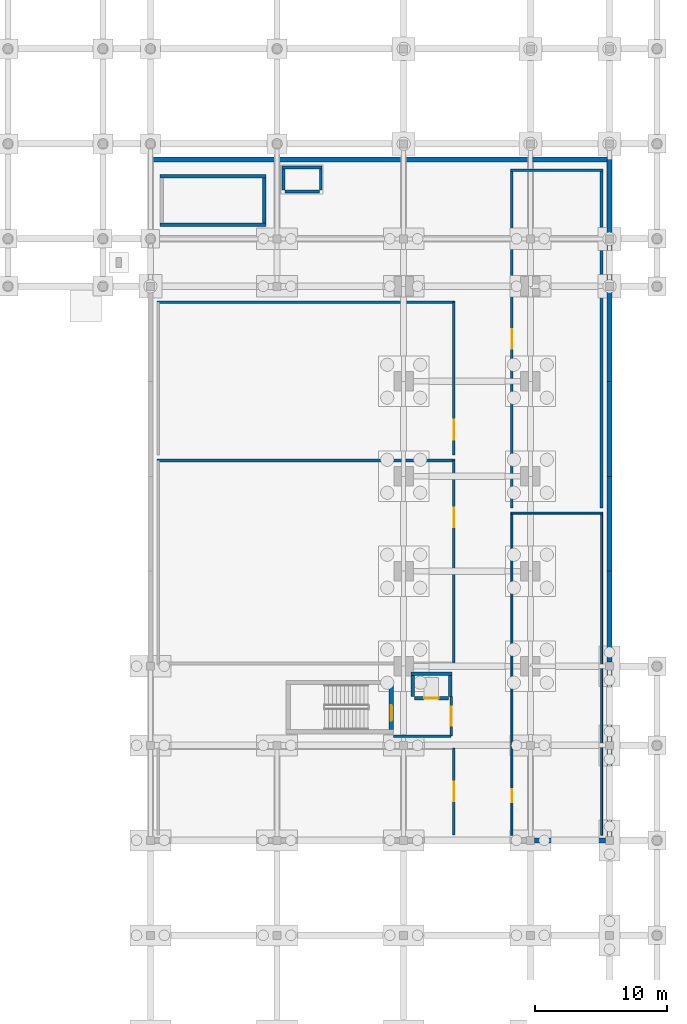
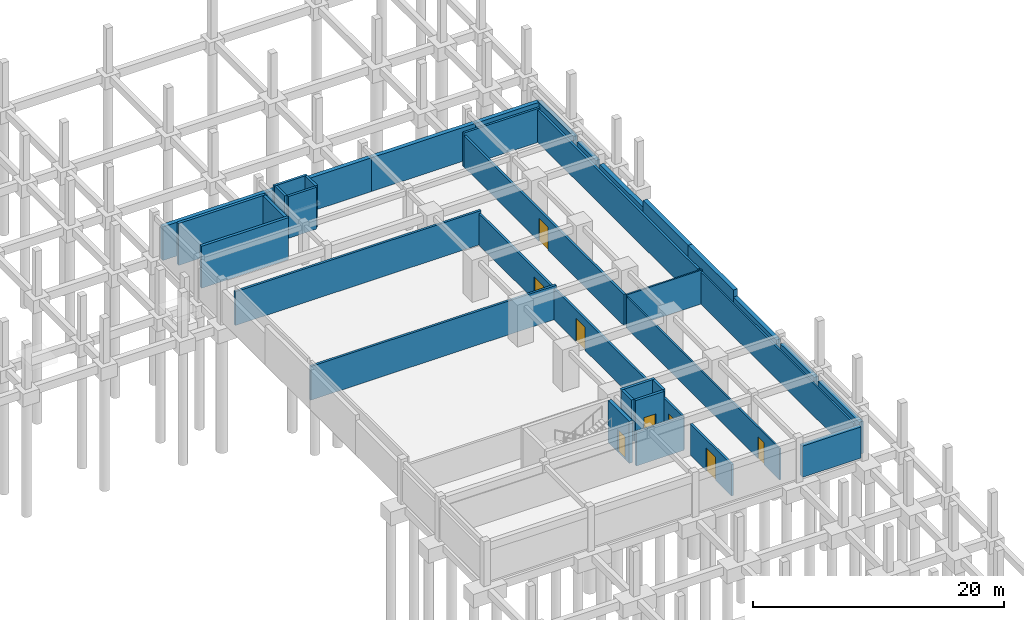
# One storey, part 16 of 20: 38 walls, 8 doors, 8 openings.
"""IFC4 building model written with IfcOpenShell, lengths in metres."""

import ifcopenshell
import ifcopenshell.guid

model = None  # the IFC model being written
_history = None  # IfcOwnerHistory: only IFC2X3 demands one
_inside = {}  # id of a spatial element -> (the spatial element, [elements in it])
_under = {}  # id of a project, library or spatial element -> (it, [spatial elements below it])
_declared = {}  # id of a project -> (the project, [libraries it declares])
_typed = {}  # id of a type object -> (the type object, [elements of that type])
_made_of = {}  # id of a material, layer set ... -> (it, [elements and type objects made of it])


def new_model(schema):
    """Start an empty IFC model of exactly this schema.

    Asked for "IFC4X3", IfcOpenShell would pick the latest addendum, in which some entities
    have other attributes; the version numbers below select the first issue.
    IFC2X3 requires an IfcOwnerHistory on every rooted entity: one is made here for all.
    """
    global model, _history
    if schema == "IFC4X3":
        model = ifcopenshell.file(schema_version=(4, 3, 0, 0))
    else:
        model = ifcopenshell.file(schema=schema)
    _inside.clear()
    _under.clear()
    _declared.clear()
    _typed.clear()
    _made_of.clear()
    _history = None
    if model.schema == "IFC2X3":
        org = make("IfcOrganization", Name="unknown")
        user = make(
            "IfcPersonAndOrganization",
            ThePerson=make("IfcPerson", FamilyName="unknown"),
            TheOrganization=org,
        )
        app = make(
            "IfcApplication",
            ApplicationDeveloper=org,
            Version="unknown",
            ApplicationFullName="unknown",
            ApplicationIdentifier="unknown",
        )
        _history = make(
            "IfcOwnerHistory",
            OwningUser=user,
            OwningApplication=app,
            ChangeAction="ADDED",
            CreationDate=0,
        )
    return model


def make(cls, **values):
    """One entity of the class cls with the attributes given. An attribute that is None is left unset."""
    return model.create_entity(
        cls, **{name: value for name, value in values.items() if value is not None}
    )


def rooted(cls, **values):
    """An entity with a GlobalId (a new one), such as an element, a storey or a relation."""
    return make(cls, GlobalId=ifcopenshell.guid.new(), OwnerHistory=_history, **values)


def si_unit(unit_type, name, prefix=None):
    """IfcSIUnit, for example si_unit("LENGTHUNIT", "METRE", prefix="MILLI")."""
    return make("IfcSIUnit", UnitType=unit_type, Prefix=prefix, Name=name)


def assignment(units):
    """IfcUnitAssignment: the units of a project."""
    return None if units is None else make("IfcUnitAssignment", Units=units)


def point(xyz):
    """IfcCartesianPoint."""
    return None if xyz is None else make("IfcCartesianPoint", Coordinates=xyz)


def direction(xyz):
    """IfcDirection."""
    return None if xyz is None else make("IfcDirection", DirectionRatios=xyz)


def frame(location, z_axis=None, x_axis=None):
    """IfcAxis2Placement3D, a coordinate frame: its origin and axes. An axis left out is left unset."""
    return make(
        "IfcAxis2Placement3D",
        Location=point(location),
        Axis=direction(z_axis),
        RefDirection=direction(x_axis),
    )


def frame_2d(location, x_axis=None):
    """IfcAxis2Placement2D, a coordinate frame in the plane: its origin and x axis."""
    return make(
        "IfcAxis2Placement2D", Location=point(location), RefDirection=direction(x_axis)
    )


def origin():
    """The frame at (0, 0, 0) with its axes left unset."""
    return frame((0.0, 0.0, 0.0))


def place(relative_to, where):
    """IfcLocalPlacement: puts the frame where relative to a parent placement (None: the world)."""
    return make(
        "IfcLocalPlacement", PlacementRelTo=relative_to, RelativePlacement=where
    )


def context(
    kind, dimensions, precision=None, world=None, true_north=None, identifier=None
):
    """IfcGeometricRepresentationContext, for example the 3D "Model" context."""
    return make(
        "IfcGeometricRepresentationContext",
        ContextIdentifier=identifier,
        ContextType=kind,
        CoordinateSpaceDimension=dimensions,
        Precision=precision,
        WorldCoordinateSystem=world,
        TrueNorth=true_north,
    )


def subcontext(parent, identifier, kind, view, scale=None):
    """IfcGeometricRepresentationSubContext, for example "Body" below "Model"."""
    return make(
        "IfcGeometricRepresentationSubContext",
        ContextIdentifier=identifier,
        ContextType=kind,
        ParentContext=parent,
        TargetScale=scale,
        TargetView=view,
    )


def project(units=None, contexts=None):
    """IfcProject with its units and contexts."""
    return rooted(
        "IfcProject",
        Name="project",
        RepresentationContexts=contexts,
        UnitsInContext=assignment(units),
    )


def spatial(cls, under=None, at=None, **own):
    """A site, building, storey or space (cls), placed at a placement, below another one or the project."""
    s = rooted(cls, ObjectPlacement=at, **own)
    if under is not None:
        _under.setdefault(under.id(), (under, []))[1].append(s)
    return s


def profile(cls, at=None, kind="AREA", **sizes):
    """A parametric profile (cls). Its sizes go by their IFC names, for example OverallWidth=200.0."""
    return make(cls, ProfileType=kind, Position=at, **sizes)


def rectangle(**sizes):
    """IfcRectangleProfileDef."""
    return profile("IfcRectangleProfileDef", **sizes)


def extrude(swept, where, along, depth):
    """IfcExtrudedAreaSolid: the profile swept, set in the frame where, extruded along a direction by depth."""
    return make(
        "IfcExtrudedAreaSolid",
        SweptArea=swept,
        Position=where,
        ExtrudedDirection=direction(along),
        Depth=depth,
    )


def shape(context_of_items, identifier, shape_type, items):
    """IfcShapeRepresentation: the items that make up one representation, for example the "Body"."""
    return make(
        "IfcShapeRepresentation",
        ContextOfItems=context_of_items,
        RepresentationIdentifier=identifier,
        RepresentationType=shape_type,
        Items=items,
    )


def material(Name=None, Category=None):
    """IfcMaterial."""
    return make("IfcMaterial", Name=Name, Category=Category)


def layer(
    of_material, thickness, ventilated=None, Name=None, Category=None, Priority=None
):
    """IfcMaterialLayer: one layer of a wall or slab, of a material (None: an air gap)."""
    return make(
        "IfcMaterialLayer",
        Material=of_material,
        LayerThickness=thickness,
        IsVentilated=ventilated,
        Name=Name,
        Category=Category,
        Priority=Priority,
    )


def layer_set(layers, Name=None):
    """IfcMaterialLayerSet."""
    return make("IfcMaterialLayerSet", MaterialLayers=layers, LayerSetName=Name)


def made_of(thing, what):
    """Note that an element or type object is made of a material, layer set ...; save() writes the relation."""
    if what is not None:
        _made_of.setdefault(what.id(), (what, []))[1].append(thing)
    return thing


def type_object(cls, material=None, **own):
    """A type object (cls), such as IfcWallType, which elements share."""
    return made_of(rooted(cls, **own), material)


def element(
    cls,
    number,
    at=None,
    inside=None,
    cuts=None,
    type_object=None,
    material=None,
    context=None,
    identifier="Body",
    shape_type=None,
    held_by="IfcProductDefinitionShape",
    body=None,
    shapes=None,
    **own,
):
    """One element of the class cls, such as IfcWall. Its Tag is "e" and its number.

    at: its placement. inside: the storey or other place that contains it. cuts: it is an
    opening in that element (IfcRelVoidsElement). A single representation is given by context,
    identifier, shape_type and body (its items); several are given by shapes. held_by: the class
    of the entity that holds the representations. save() writes the other relations.
    """
    e = rooted(cls, Tag="e%d" % number, ObjectPlacement=at, **own)
    if body is not None:
        shapes = [shape(context, identifier, shape_type, body)]
    if shapes is not None:
        e.Representation = make(held_by, Representations=shapes)
    if inside is not None:
        _inside.setdefault(inside.id(), (inside, []))[1].append(e)
    if cuts is not None:
        rooted(
            "IfcRelVoidsElement", RelatingBuildingElement=cuts, RelatedOpeningElement=e
        )
    if type_object is not None:
        _typed.setdefault(type_object.id(), (type_object, []))[1].append(e)
    return made_of(e, material)


def fill(opening, filler):
    """IfcRelFillsElement: the door or window that sits in an opening."""
    return rooted(
        "IfcRelFillsElement",
        RelatingOpeningElement=opening,
        RelatedBuildingElement=filler,
    )


def aggregate(whole, parts):
    """IfcRelAggregates: a whole, such as a stair, and the parts it consists of."""
    return rooted("IfcRelAggregates", RelatingObject=whole, RelatedObjects=parts)


def save(model, path):
    """Write the relations noted so far, then the file.

    IfcRelAggregates (storeys below a building ...), IfcRelContainedInSpatialStructure (elements
    in a storey), IfcRelDefinesByType, IfcRelAssociatesMaterial and IfcRelDeclares: one each for
    every whole, place, type object, material and project.
    """
    for whole, parts in _under.values():
        aggregate(whole, parts)
    for where, things in _inside.values():
        rooted(
            "IfcRelContainedInSpatialStructure",
            RelatedElements=things,
            RelatingStructure=where,
        )
    for kind, things in _typed.values():
        rooted("IfcRelDefinesByType", RelatedObjects=things, RelatingType=kind)
    for what, things in _made_of.values():
        rooted("IfcRelAssociatesMaterial", RelatedObjects=things, RelatingMaterial=what)
    for by, libraries in _declared.values():
        rooted("IfcRelDeclares", RelatingContext=by, RelatedDefinitions=libraries)
    model.write(path)


model = new_model("IFC4")

# Units and contexts
model_context = context("Model", 3, precision=1e-05, world=origin(), true_north=direction((0.0, 1.0)))
body_context = subcontext(model_context, "Body", "Model", "MODEL_VIEW")
ifc_project = project(units=[si_unit("LENGTHUNIT", "METRE"), si_unit("AREAUNIT", "SQUARE_METRE"), si_unit("VOLUMEUNIT", "CUBIC_METRE"), si_unit("PLANEANGLEUNIT", "RADIAN"), si_unit("MASSUNIT", "GRAM", prefix="KILO")], contexts=[model_context])

# Site, building, storey
site_placement = place(None, origin())
site = spatial("IfcSite", under=ifc_project, at=site_placement, CompositionType="ELEMENT")
building_placement = place(site_placement, origin())
building = spatial("IfcBuilding", under=site, at=building_placement, Name="Nzembalo Square Collegiate School", CompositionType="ELEMENT")
storey_placement = place(building_placement, frame((0.0, 0.0, -4.080078125)))
storey = spatial("IfcBuildingStorey", under=building, at=storey_placement, Name="B1", CompositionType="ELEMENT", Elevation=-4.080078125)

# Wall, opening, door
ifc_material_1 = material(Name="Concrete C40/50", Category="concrete")
ifc_layer_1 = layer(ifc_material_1, 0.320068359375, Name="Concrete C40/50")
ifc_layer_set_1 = layer_set([ifc_layer_1], Name="Concrete C40/50")
wall_type_1 = type_object("IfcWallType", Name="SW01", PredefinedType="SHEAR", material=ifc_layer_set_1)
wall_1_placement = place(storey_placement, frame((149.06005859375, 45.60009765625, 0.0), z_axis=(0.0, 0.0, 1.0), x_axis=(0.0, 1.0, 0.0)))
wall_1 = element("IfcWall", 1, at=wall_1_placement, inside=storey, type_object=wall_type_1, Name="Core C5 stair shear wall E B1", PredefinedType="SHEAR", context=body_context, shape_type="SweptSolid", body=[
    extrude(rectangle(XDim=3.39990234375, YDim=0.320068359375, at=frame_2d((1.699951171875, 0.0))), origin(), (0.0, 0.0, 1.0), 4.080078125),
])
opening_1_placement = place(wall_1_placement, frame((0.64990234375, 0.0, 0.0)))
opening_1 = element("IfcOpeningElement", 2, at=opening_1_placement, cuts=wall_1, Name="Opening FD-044", PredefinedType="OPENING", context=body_context, shape_type="SweptSolid", body=[
    extrude(rectangle(XDim=1.199951171875, YDim=2.199951171875, at=frame_2d((0.60009765625, 1.10009765625))), frame((0.0, 0.169921875, 0.0), z_axis=(0.0, -1.0, 0.0), x_axis=(1.0, 0.0, 0.0)), (0.0, 0.0, 1.0), 0.340087890625),
])
ifc_material_2 = material(Name="Fire-rated steel acoustic door", Category="steel")
door_type_1 = type_object("IfcDoorType", Name="FD01", OperationType="NOTDEFINED", PredefinedType="DOOR", material=ifc_material_2)
door_1_placement = place(opening_1_placement, origin())
door_1 = element("IfcDoor", 3, at=door_1_placement, inside=storey, type_object=door_type_1, Name="Stair fire door FD-044", OperationType="SINGLE_SWING_RIGHT", OverallHeight=2.199951171875, OverallWidth=1.199951171875, PredefinedType="DOOR", context=body_context, shape_type="SweptSolid", body=[
    extrude(rectangle(XDim=1.199951171875, YDim=2.199951171875, at=frame_2d((0.60009765625, 1.10009765625))), frame((0.0, 0.02490234375, 0.0), z_axis=(0.0, -1.0, 0.0), x_axis=(1.0, 0.0, 0.0)), (0.0, 0.0, 1.0), 0.050048828125),
])
fill(opening_1, door_1)

# Walls
ifc_material_3 = material(Name="Concrete C35/45", Category="concrete")
ifc_layer_2 = layer(ifc_material_3, 0.260009765625, Name="Concrete C35/45")
ifc_layer_set_2 = layer_set([ifc_layer_2], Name="Concrete C35/45")
wall_type_2 = type_object("IfcWallType", Name="SW04", PredefinedType="SHEAR", material=ifc_layer_set_2)
for number, where, z_axis, x_axis, name in (
    (4, (131.5400390625, 83.8701171875, 0.0), (0.0, 0.0, 1.0), (1.0, 0.0, 0.0), "Core C4 stair shear wall S B1"),
    (5, (131.5400390625, 87.530029296875, 0.0), (0.0, 0.0, 1.0), (1.0, 0.0, 0.0), "Core C4 stair shear wall N B1"),
):
    element("IfcWall", number, at=place(storey_placement, frame(where, z_axis=z_axis, x_axis=x_axis)), inside=storey, type_object=wall_type_2, Name=name, PredefinedType="SHEAR", context=body_context, shape_type="SweptSolid", body=[
        extrude(rectangle(XDim=8.02001953125, YDim=0.260009765625, at=frame_2d((4.010009765625, 0.0))), origin(), (0.0, 0.0, 1.0), 4.080078125),
    ])
wall_2_placement = place(storey_placement, frame((139.429931640625, 84.0, 0.0), z_axis=(0.0, 0.0, 1.0), x_axis=(0.0, 1.0, 0.0)))
element("IfcWall", 6, at=wall_2_placement, inside=storey, type_object=wall_type_2, Name="Core C4 stair shear wall E B1", PredefinedType="SHEAR", context=body_context, shape_type="SweptSolid", body=[
    extrude(rectangle(XDim=3.39990234375, YDim=0.260009765625, at=frame_2d((1.699951171875, 0.0))), origin(), (0.0, 0.0, 1.0), 4.080078125),
])
ifc_material_4 = material(Name="Concrete C35/45", Category="concrete")
ifc_layer_3 = layer(ifc_material_4, 0.25, Name="Concrete C35/45")
ifc_layer_set_3 = layer_set([ifc_layer_3], Name="Concrete C35/45")
wall_type_3 = type_object("IfcWallType", Name="SW05", PredefinedType="SHEAR", material=ifc_layer_set_3)
for number, where, z_axis, x_axis, name in (
    (7, (150.675048828125, 48.10009765625, 0.0), (0.0, 0.0, 1.0), (0.0, 1.0, 0.0), "Lift LF4 shaft wall W B1"),
    (8, (153.52490234375, 48.10009765625, 0.0), (0.0, 0.0, 1.0), (0.0, 1.0, 0.0), "Lift LF4 shaft wall E B1"),
):
    element("IfcWall", number, at=place(storey_placement, frame(where, z_axis=z_axis, x_axis=x_axis)), inside=storey, type_object=wall_type_3, Name=name, PredefinedType="SHEAR", context=body_context, shape_type="SweptSolid", body=[
        extrude(rectangle(XDim=1.599853515625, YDim=0.25, at=frame_2d((0.7998046875, 0.0))), origin(), (0.0, 0.0, 1.0), 4.080078125),
    ])
wall_3_placement = place(storey_placement, frame((150.550048828125, 49.824951171875, 0.0), z_axis=(0.0, 0.0, 1.0), x_axis=(1.0, 0.0, 0.0)))
element("IfcWall", 9, at=wall_3_placement, inside=storey, type_object=wall_type_3, Name="Lift LF4 shaft wall N B1", PredefinedType="SHEAR", context=body_context, shape_type="SweptSolid", body=[
    extrude(rectangle(XDim=3.099853515625, YDim=0.25, at=frame_2d((1.5498046875, 0.0))), origin(), (0.0, 0.0, 1.0), 4.080078125),
])

# Wall, opening, door
wall_4_placement = place(storey_placement, frame((150.800048828125, 47.97509765625, 0.0), z_axis=(0.0, 0.0, 1.0), x_axis=(1.0, 0.0, 0.0)))
wall_4 = element("IfcWall", 10, at=wall_4_placement, inside=storey, type_object=wall_type_3, Name="Lift LF4 landing front wall B1", PredefinedType="SHEAR", context=body_context, shape_type="SweptSolid", body=[
    extrude(rectangle(XDim=2.599853515625, YDim=0.25, at=frame_2d((1.2998046875, 0.0))), origin(), (0.0, 0.0, 1.0), 4.080078125),
])
opening_2_placement = place(wall_4_placement, frame((0.75, 0.0, 0.0)))
opening_2 = element("IfcOpeningElement", 11, at=opening_2_placement, cuts=wall_4, Name="Opening LD-LF4-B1", PredefinedType="OPENING", context=body_context, shape_type="SweptSolid", body=[
    extrude(rectangle(XDim=1.10009765625, YDim=2.14990234375, at=frame_2d((0.550048828125, 1.074951171875))), frame((0.0, 0.135009765625, 0.0), z_axis=(0.0, -1.0, 0.0), x_axis=(1.0, 0.0, 0.0)), (0.0, 0.0, 1.0), 0.27001953125),
])
ifc_material_5 = material(Name="Stainless-steel sliding landing door", Category="steel")
door_type_2 = type_object("IfcDoorType", Name="LD01", OperationType="DOUBLE_DOOR_SLIDING", PredefinedType="DOOR", material=ifc_material_5)
door_2_placement = place(opening_2_placement, origin())
door_2 = element("IfcDoor", 12, at=door_2_placement, inside=storey, type_object=door_type_2, Name="Sliding lift landing door LD-LF4-B1", OperationType="DOUBLE_DOOR_SLIDING", OverallHeight=2.14990234375, OverallWidth=1.10009765625, PredefinedType="DOOR", context=body_context, shape_type="SweptSolid", body=[
    extrude(rectangle(XDim=1.10009765625, YDim=2.14990234375, at=frame_2d((0.550048828125, 1.074951171875))), frame((0.0, 0.02490234375, 0.0), z_axis=(0.0, -1.0, 0.0), x_axis=(1.0, 0.0, 0.0)), (0.0, 0.0, 1.0), 0.050048828125),
])
fill(opening_2, door_2)

# Walls
ifc_material_6 = material(Name="Concrete C35/45", Category="concrete")
ifc_layer_4 = layer(ifc_material_6, 0.219970703125, Name="Concrete C35/45")
ifc_layer_set_4 = layer_set([ifc_layer_4], Name="Concrete C35/45")
wall_type_4 = type_object("IfcWallType", Name="SW08", PredefinedType="SHEAR", material=ifc_layer_set_4)
for number, where, z_axis, x_axis, name in (
    (13, (140.889892578125, 86.5, 0.0), (0.0, 0.0, 1.0), (0.0, 1.0, 0.0), "Lift LF3 shaft wall W B1"),
    (14, (143.7099609375, 86.5, 0.0), (0.0, 0.0, 1.0), (0.0, 1.0, 0.0), "Lift LF3 shaft wall E B1"),
):
    element("IfcWall", number, at=place(storey_placement, frame(where, z_axis=z_axis, x_axis=x_axis)), inside=storey, type_object=wall_type_4, Name=name, PredefinedType="SHEAR", context=body_context, shape_type="SweptSolid", body=[
        extrude(rectangle(XDim=1.60009765625, YDim=0.219970703125, at=frame_2d((0.800048828125, 0.0))), origin(), (0.0, 0.0, 1.0), 4.080078125),
    ])
wall_5_placement = place(storey_placement, frame((140.780029296875, 88.2099609375, 0.0), z_axis=(0.0, 0.0, 1.0), x_axis=(1.0, 0.0, 0.0)))
element("IfcWall", 15, at=wall_5_placement, inside=storey, type_object=wall_type_4, Name="Lift LF3 shaft wall N B1", PredefinedType="SHEAR", context=body_context, shape_type="SweptSolid", body=[
    extrude(rectangle(XDim=3.0400390625, YDim=0.219970703125, at=frame_2d((1.52001953125, 0.0))), origin(), (0.0, 0.0, 1.0), 4.080078125),
])
wall_6_placement = place(storey_placement, frame((141.0, 86.389892578125, 0.0), z_axis=(0.0, 0.0, 1.0), x_axis=(1.0, 0.0, 0.0)))
element("IfcWall", 16, at=wall_6_placement, inside=storey, type_object=wall_type_4, Name="Lift LF3 landing front wall B1", PredefinedType="SHEAR", context=body_context, shape_type="SweptSolid", body=[
    extrude(rectangle(XDim=2.60009765625, YDim=0.219970703125, at=frame_2d((1.300048828125, 0.0))), origin(), (0.0, 0.0, 1.0), 4.080078125),
])
ifc_material_7 = material(Name="Concrete C35/45", Category="concrete")
ifc_layer_5 = layer(ifc_material_7, 0.3798828125, Name="Concrete C35/45")
ifc_layer_set_5 = layer_set([ifc_layer_5], Name="Concrete C35/45")
wall_type_5 = type_object("IfcWallType", Name="W09", PredefinedType="SOLIDWALL", material=ifc_layer_set_5)
wall_7_placement = place(storey_placement, frame((130.800048828125, 88.800048828125, 0.0), z_axis=(0.0, 0.0, 1.0), x_axis=(1.0, 0.0, 0.0)))
element("IfcWall", 17, at=wall_7_placement, inside=storey, type_object=wall_type_5, Name="Exterior wall W09 B1", PredefinedType="SOLIDWALL", context=body_context, shape_type="SweptSolid", body=[
    extrude(rectangle(XDim=9.599853515625, YDim=0.3798828125, at=frame_2d((4.7998046875, 0.0))), origin(), (0.0, 0.0, 1.0), 3.2890625),
])
for number, where, z_axis, x_axis, name in (
    (18, (140.39990234375, 88.800048828125, 0.0), (0.0, 0.0, 1.0), (1.0, 0.0, 0.0), "Exterior wall W09 B1"),
    (19, (150.0, 88.800048828125, 0.0), (0.0, 0.0, 1.0), (1.0, 0.0, 0.0), "Exterior wall W09 B1"),
):
    element("IfcWall", number, at=place(storey_placement, frame(where, z_axis=z_axis, x_axis=x_axis)), inside=storey, type_object=wall_type_5, Name=name, PredefinedType="SOLIDWALL", context=body_context, shape_type="SweptSolid", body=[
        extrude(rectangle(XDim=9.60009765625, YDim=0.3798828125, at=frame_2d((4.800048828125, 0.0))), origin(), (0.0, 0.0, 1.0), 3.2890625),
    ])
wall_8_placement = place(storey_placement, frame((159.60009765625, 88.800048828125, 0.0), z_axis=(0.0, 0.0, 1.0), x_axis=(1.0, 0.0, 0.0)))
element("IfcWall", 20, at=wall_8_placement, inside=storey, type_object=wall_type_5, Name="Exterior wall W09 B1", PredefinedType="SOLIDWALL", context=body_context, shape_type="SweptSolid", body=[
    extrude(rectangle(XDim=6.0, YDim=0.3798828125, at=frame_2d((3.0, 0.0))), origin(), (0.0, 0.0, 1.0), 3.2890625),
])
wall_9_placement = place(storey_placement, frame((165.60009765625, 37.501953125, 0.0), z_axis=(0.0, 0.0, 1.0), x_axis=(0.0, 1.0, 0.0)))
element("IfcWall", 21, at=wall_9_placement, inside=storey, type_object=wall_type_5, Name="Exterior wall W09 B1", PredefinedType="SOLIDWALL", context=body_context, shape_type="SweptSolid", body=[
    extrude(rectangle(XDim=6.595947265625, YDim=0.3798828125, at=frame_2d((3.2978515625, 0.0))), origin(), (0.0, 0.0, 1.0), 3.13916015625),
])
wall_10_placement = place(storey_placement, frame((165.60009765625, 44.701904296875, 0.0), z_axis=(0.0, 0.0, 1.0), x_axis=(0.0, 1.0, 0.0)))
element("IfcWall", 22, at=wall_10_placement, inside=storey, type_object=wall_type_5, Name="Exterior wall W09 B1", PredefinedType="SOLIDWALL", context=body_context, shape_type="SweptSolid", body=[
    extrude(rectangle(XDim=5.39599609375, YDim=0.3798828125, at=frame_2d((2.697998046875, 0.0))), origin(), (0.0, 0.0, 1.0), 3.13916015625),
])
wall_11_placement = place(storey_placement, frame((165.60009765625, 50.701904296875, 0.0), z_axis=(0.0, 0.0, 1.0), x_axis=(0.0, 1.0, 0.0)))
element("IfcWall", 23, at=wall_11_placement, inside=storey, type_object=wall_type_5, Name="Exterior wall W09 B1", PredefinedType="SOLIDWALL", context=body_context, shape_type="SweptSolid", body=[
    extrude(rectangle(XDim=6.898193359375, YDim=0.3798828125, at=frame_2d((3.44921875, 0.0))), origin(), (0.0, 0.0, 1.0), 3.13916015625),
])
for number, where, z_axis, x_axis, name in (
    (24, (165.60009765625, 57.60009765625, 0.0), (0.0, 0.0, 1.0), (0.0, 1.0, 0.0), "Exterior wall W09 B1"),
    (25, (165.60009765625, 64.800048828125, 0.0), (0.0, 0.0, 1.0), (0.0, 1.0, 0.0), "Exterior wall W09 B1"),
):
    element("IfcWall", number, at=place(storey_placement, frame(where, z_axis=z_axis, x_axis=x_axis)), inside=storey, type_object=wall_type_5, Name=name, PredefinedType="SOLIDWALL", context=body_context, shape_type="SweptSolid", body=[
        extrude(rectangle(XDim=7.199951171875, YDim=0.3798828125, at=frame_2d((3.60009765625, 0.0))), origin(), (0.0, 0.0, 1.0), 3.81396484375),
    ])
wall_12_placement = place(storey_placement, frame((165.60009765625, 72.0, 0.0), z_axis=(0.0, 0.0, 1.0), x_axis=(0.0, 1.0, 0.0)))
element("IfcWall", 26, at=wall_12_placement, inside=storey, type_object=wall_type_5, Name="Exterior wall W09 B1", PredefinedType="SOLIDWALL", context=body_context, shape_type="SweptSolid", body=[
    extrude(rectangle(XDim=6.89794921875, YDim=0.3798828125, at=frame_2d((3.448974609375, 0.0))), origin(), (0.0, 0.0, 1.0), 3.13916015625),
])
wall_13_placement = place(storey_placement, frame((165.60009765625, 79.501953125, 0.0), z_axis=(0.0, 0.0, 1.0), x_axis=(0.0, 1.0, 0.0)))
element("IfcWall", 27, at=wall_13_placement, inside=storey, type_object=wall_type_5, Name="Exterior wall W09 B1", PredefinedType="SOLIDWALL", context=body_context, shape_type="SweptSolid", body=[
    extrude(rectangle(XDim=2.99609375, YDim=0.3798828125, at=frame_2d((1.498046875, 0.0))), origin(), (0.0, 0.0, 1.0), 3.13916015625),
])
wall_14_placement = place(storey_placement, frame((165.60009765625, 83.10205078125, 0.0), z_axis=(0.0, 0.0, 1.0), x_axis=(0.0, 1.0, 0.0)))
element("IfcWall", 28, at=wall_14_placement, inside=storey, type_object=wall_type_5, Name="Exterior wall W09 B1", PredefinedType="SOLIDWALL", context=body_context, shape_type="SweptSolid", body=[
    extrude(rectangle(XDim=5.697998046875, YDim=0.3798828125, at=frame_2d((2.84912109375, 0.0))), origin(), (0.0, 0.0, 1.0), 3.2890625),
])
wall_15_placement = place(storey_placement, frame((159.902099609375, 37.199951171875, 0.0), z_axis=(0.0, 0.0, 1.0), x_axis=(1.0, 0.0, 0.0)))
element("IfcWall", 29, at=wall_15_placement, inside=storey, type_object=wall_type_5, Name="Exterior wall W09 B1", PredefinedType="SOLIDWALL", context=body_context, shape_type="SweptSolid", body=[
    extrude(rectangle(XDim=5.39599609375, YDim=0.3798828125, at=frame_2d((2.697998046875, 0.0))), origin(), (0.0, 0.0, 1.0), 3.0390625),
])

# Wall, opening, door
ifc_material_8 = material(Name="Concrete blockwork C25/30", Category="masonry")
ifc_layer_6 = layer(ifc_material_8, 0.199951171875, Name="Concrete blockwork C25/30")
ifc_layer_set_6 = layer_set([ifc_layer_6], Name="Concrete blockwork C25/30")
wall_type_6 = type_object("IfcWallType", Name="W11", PredefinedType="PARTITIONING", material=ifc_layer_set_6)
wall_16_placement = place(storey_placement, frame((153.60009765625, 45.10009765625, 0.0), z_axis=(0.0, 0.0, 1.0), x_axis=(0.0, 1.0, 0.0)))
wall_16 = element("IfcWall", 30, at=wall_16_placement, inside=storey, type_object=wall_type_6, Name="Core C5 EI 60 lobby wall E B1", PredefinedType="PARTITIONING", context=body_context, shape_type="SweptSolid", body=[
    extrude(rectangle(XDim=3.0, YDim=0.199951171875, at=frame_2d((1.5, 0.0))), origin(), (0.0, 0.0, 1.0), 3.2890625),
])
opening_3_placement = place(wall_16_placement, frame((0.77490234375, 0.0, 0.0)))
opening_3 = element("IfcOpeningElement", 31, at=opening_3_placement, cuts=wall_16, Name="Opening FD-045", PredefinedType="OPENING", context=body_context, shape_type="SweptSolid", body=[
    extrude(rectangle(XDim=1.449951171875, YDim=2.199951171875, at=frame_2d((0.72509765625, 1.10009765625))), frame((0.0, 0.10986328125, 0.0), z_axis=(0.0, -1.0, 0.0), x_axis=(1.0, 0.0, 0.0)), (0.0, 0.0, 1.0), 0.219970703125),
])
ifc_material_9 = material(Name="Fire-rated double lobby door")
door_type_3 = type_object("IfcDoorType", Name="FD02", OperationType="DOUBLE_DOOR_SINGLE_SWING", PredefinedType="DOOR", material=ifc_material_9)
door_3_placement = place(opening_3_placement, frame((1.449951171875, 0.0, 0.0), z_axis=(0.0, 0.0, 1.0), x_axis=(-1.0, 0.0, 0.0)))
door_3 = element("IfcDoor", 32, at=door_3_placement, inside=storey, type_object=door_type_3, Name="Protected lobby fire door FD-045", OperationType="DOUBLE_DOOR_SINGLE_SWING", OverallHeight=2.199951171875, OverallWidth=1.449951171875, PredefinedType="DOOR", context=body_context, shape_type="SweptSolid", body=[
    extrude(rectangle(XDim=1.449951171875, YDim=2.199951171875, at=frame_2d((0.72509765625, 1.10009765625))), frame((0.0, 0.02490234375, 0.0), z_axis=(0.0, -1.0, 0.0), x_axis=(1.0, 0.0, 0.0)), (0.0, 0.0, 1.0), 0.050048828125),
])
fill(opening_3, door_3)

# Walls
wall_17_placement = place(storey_placement, frame((149.219970703125, 45.10009765625, 0.0), z_axis=(0.0, 0.0, 1.0), x_axis=(1.0, 0.0, 0.0)))
element("IfcWall", 33, at=wall_17_placement, inside=storey, type_object=wall_type_6, Name="Core C5 EI 60 lobby wall S B1", PredefinedType="PARTITIONING", context=body_context, shape_type="SweptSolid", body=[
    extrude(rectangle(XDim=4.380126953125, YDim=0.199951171875, at=frame_2d((2.18994140625, 0.0))), origin(), (0.0, 0.0, 1.0), 3.2890625),
])
ifc_material_10 = material(Name="Acoustic double-board stud")
ifc_layer_7 = layer(ifc_material_10, 0.14990234375, Name="Acoustic double-board stud")
ifc_layer_set_7 = layer_set([ifc_layer_7], Name="Acoustic double-board stud")
wall_type_7 = type_object("IfcWallType", Name="W17", PredefinedType="PARTITIONING", material=ifc_layer_set_7)
wall_18_placement = place(storey_placement, frame((158.125, 62.0, 0.0), z_axis=(0.0, 0.0, 1.0), x_axis=(1.0, 0.0, 0.0)))
element("IfcWall", 34, at=wall_18_placement, inside=storey, type_object=wall_type_7, Name="Interior partition W17 B1-013-N", PredefinedType="PARTITIONING", context=body_context, shape_type="SweptSolid", body=[
    extrude(rectangle(XDim=6.949951171875, YDim=0.14990234375, at=frame_2d((3.47509765625, 0.0))), origin(), (0.0, 0.0, 1.0), 3.2890625),
])

# Wall, opening, door
wall_19_placement = place(storey_placement, frame((158.199951171875, 37.60009765625, 0.0), z_axis=(0.0, 0.0, 1.0), x_axis=(0.0, 1.0, 0.0)))
wall_19 = element("IfcWall", 35, at=wall_19_placement, inside=storey, type_object=wall_type_7, Name="Interior partition W17 B1-013-W", PredefinedType="PARTITIONING", context=body_context, shape_type="SweptSolid", body=[
    extrude(rectangle(XDim=24.39990234375, YDim=0.14990234375, at=frame_2d((12.199951171875, 0.0))), origin(), (0.0, 0.0, 1.0), 3.0390625),
])
opening_4_placement = place(wall_19_placement, frame((2.50390625, 0.0, 0.0)))
opening_4 = element("IfcOpeningElement", 36, at=opening_4_placement, cuts=wall_19, Name="Opening D-B1-005", PredefinedType="OPENING", context=body_context, shape_type="SweptSolid", body=[
    extrude(rectangle(XDim=0.9599609375, YDim=2.139892578125, at=frame_2d((0.47998046875, 1.06982421875))), frame((0.0, 0.0849609375, 0.0), z_axis=(0.0, -1.0, 0.0), x_axis=(1.0, 0.0, 0.0)), (0.0, 0.0, 1.0), 0.169921875),
])
ifc_material_11 = material(Name="Solid timber equipment store door", Category="wood")
door_type_4 = type_object("IfcDoorType", Name="D10", OperationType="NOTDEFINED", PredefinedType="DOOR", material=ifc_material_11)
door_4_placement = place(opening_4_placement, origin())
door_4 = element("IfcDoor", 37, at=door_4_placement, inside=storey, type_object=door_type_4, Name="Interior door D-B1-005 (Campus Maintenance Workshop and Archive Store)", OperationType="SINGLE_SWING_LEFT", OverallHeight=2.139892578125, OverallWidth=0.9599609375, PredefinedType="DOOR", context=body_context, shape_type="SweptSolid", body=[
    extrude(rectangle(XDim=0.9599609375, YDim=2.139892578125, at=frame_2d((0.47998046875, 1.06982421875))), frame((0.0, 0.02490234375, 0.0), z_axis=(0.0, -1.0, 0.0), x_axis=(1.0, 0.0, 0.0)), (0.0, 0.0, 1.0), 0.050048828125),
])
fill(opening_4, door_4)

# Walls
wall_20_placement = place(storey_placement, frame((165.0, 37.60009765625, 0.0), z_axis=(0.0, 0.0, 1.0), x_axis=(0.0, 1.0, 0.0)))
element("IfcWall", 38, at=wall_20_placement, inside=storey, type_object=wall_type_7, Name="Interior partition W17 B1-013-E", PredefinedType="PARTITIONING", context=body_context, shape_type="SweptSolid", body=[
    extrude(rectangle(XDim=24.39990234375, YDim=0.14990234375, at=frame_2d((12.199951171875, 0.0))), origin(), (0.0, 0.0, 1.0), 3.13916015625),
])
ifc_material_12 = material(Name="Concrete blockwork C25/30", Category="masonry")
ifc_layer_8 = layer(ifc_material_12, 0.205078125, Name="Concrete blockwork C25/30")
ifc_layer_set_8 = layer_set([ifc_layer_8], Name="Concrete blockwork C25/30")
wall_type_8 = type_object("IfcWallType", Name="W21", PredefinedType="PARTITIONING", material=ifc_layer_set_8)
wall_21_placement = place(storey_placement, frame((131.297607421875, 66.0, 0.0), z_axis=(0.0, 0.0, 1.0), x_axis=(1.0, 0.0, 0.0)))
element("IfcWall", 39, at=wall_21_placement, inside=storey, type_object=wall_type_8, Name="Interior partition W21 B1-010-N", PredefinedType="PARTITIONING", context=body_context, shape_type="SweptSolid", body=[
    extrude(rectangle(XDim=22.60498046875, YDim=0.205078125, at=frame_2d((11.302490234375, 0.0))), origin(), (0.0, 0.0, 1.0), 3.2890625),
])

# Wall, opening, door
wall_22_placement = place(storey_placement, frame((153.800048828125, 50.60009765625, 0.0), z_axis=(0.0, 0.0, 1.0), x_axis=(0.0, 1.0, 0.0)))
wall_22 = element("IfcWall", 40, at=wall_22_placement, inside=storey, type_object=wall_type_8, Name="Interior partition W21 B1-010-E", PredefinedType="PARTITIONING", context=body_context, shape_type="SweptSolid", body=[
    extrude(rectangle(XDim=15.39990234375, YDim=0.205078125, at=frame_2d((7.699951171875, 0.0))), origin(), (0.0, 0.0, 1.0), 3.0390625),
])
opening_5_placement = place(wall_22_placement, frame((10.324951171875, 0.0, 0.0)))
opening_5 = element("IfcOpeningElement", 41, at=opening_5_placement, cuts=wall_22, Name="Opening D-B1-002", PredefinedType="OPENING", context=body_context, shape_type="SweptSolid", body=[
    extrude(rectangle(XDim=1.5, YDim=2.25, at=frame_2d((0.75, 1.125))), frame((0.0, 0.112548828125, 0.0), z_axis=(0.0, -1.0, 0.0), x_axis=(1.0, 0.0, 0.0)), (0.0, 0.0, 1.0), 0.22509765625),
])
ifc_material_13 = material(Name="Fire-rated plant double door")
door_type_5 = type_object("IfcDoorType", Name="FD04", OperationType="DOUBLE_DOOR_SINGLE_SWING", PredefinedType="DOOR", material=ifc_material_13)
door_5_placement = place(opening_5_placement, origin())
door_5 = element("IfcDoor", 42, at=door_5_placement, inside=storey, type_object=door_type_5, Name="Interior door D-B1-002 (Rainwater Harvesting Cistern Hall)", OperationType="DOUBLE_DOOR_SINGLE_SWING", OverallHeight=2.25, OverallWidth=1.5, PredefinedType="DOOR", context=body_context, shape_type="SweptSolid", body=[
    extrude(rectangle(XDim=1.5, YDim=2.25, at=frame_2d((0.75, 1.125))), frame((0.0, 0.02490234375, 0.0), z_axis=(0.0, -1.0, 0.0), x_axis=(1.0, 0.0, 0.0)), (0.0, 0.0, 1.0), 0.050048828125),
])
fill(opening_5, door_5)

# Wall
wall_23_placement = place(storey_placement, frame((131.297607421875, 78.0, 0.0), z_axis=(0.0, 0.0, 1.0), x_axis=(1.0, 0.0, 0.0)))
element("IfcWall", 43, at=wall_23_placement, inside=storey, type_object=wall_type_8, Name="Interior partition W21 B1-011-N", PredefinedType="PARTITIONING", context=body_context, shape_type="SweptSolid", body=[
    extrude(rectangle(XDim=22.60498046875, YDim=0.205078125, at=frame_2d((11.302490234375, 0.0))), origin(), (0.0, 0.0, 1.0), 3.2890625),
])

# Wall, opening, door
wall_24_placement = place(storey_placement, frame((153.800048828125, 66.39990234375, 0.0), z_axis=(0.0, 0.0, 1.0), x_axis=(0.0, 1.0, 0.0)))
wall_24 = element("IfcWall", 44, at=wall_24_placement, inside=storey, type_object=wall_type_8, Name="Interior partition W21 B1-011-E", PredefinedType="PARTITIONING", context=body_context, shape_type="SweptSolid", body=[
    extrude(rectangle(XDim=11.60009765625, YDim=0.205078125, at=frame_2d((5.800048828125, 0.0))), origin(), (0.0, 0.0, 1.0), 3.0390625),
])
opening_6_placement = place(wall_24_placement, frame((1.169921875, 0.0, 0.0)))
opening_6 = element("IfcOpeningElement", 45, at=opening_6_placement, cuts=wall_24, Name="Opening D-B1-003", PredefinedType="OPENING", context=body_context, shape_type="SweptSolid", body=[
    extrude(rectangle(XDim=1.5, YDim=2.25, at=frame_2d((0.75, 1.125))), frame((0.0, 0.112548828125, 0.0), z_axis=(0.0, -1.0, 0.0), x_axis=(1.0, 0.0, 0.0)), (0.0, 0.0, 1.0), 0.22509765625),
])
door_6_placement = place(opening_6_placement, origin())
door_6 = element("IfcDoor", 46, at=door_6_placement, inside=storey, type_object=door_type_5, Name="Interior door D-B1-003 (Potable and Fire Water Reserve Plant)", OperationType="DOUBLE_DOOR_SINGLE_SWING", OverallHeight=2.25, OverallWidth=1.5, PredefinedType="DOOR", context=body_context, shape_type="SweptSolid", body=[
    extrude(rectangle(XDim=1.5, YDim=2.25, at=frame_2d((0.75, 1.125))), frame((0.0, 0.02490234375, 0.0), z_axis=(0.0, -1.0, 0.0), x_axis=(1.0, 0.0, 0.0)), (0.0, 0.0, 1.0), 0.050048828125),
])
fill(opening_6, door_6)

wall_25_placement = place(storey_placement, frame((153.800048828125, 37.60009765625, 0.0), z_axis=(0.0, 0.0, 1.0), x_axis=(0.0, 1.0, 0.0)))
wall_25 = element("IfcWall", 47, at=wall_25_placement, inside=storey, type_object=wall_type_8, Name="Interior partition W21 B1-012-E", PredefinedType="PARTITIONING", context=body_context, shape_type="SweptSolid", body=[
    extrude(rectangle(XDim=6.599853515625, YDim=0.205078125, at=frame_2d((3.2998046875, 0.0))), origin(), (0.0, 0.0, 1.0), 3.0390625),
])
opening_7_placement = place(wall_25_placement, frame((2.550048828125, 0.0, 0.0)))
opening_7 = element("IfcOpeningElement", 48, at=opening_7_placement, cuts=wall_25, Name="Opening D-B1-004", PredefinedType="OPENING", context=body_context, shape_type="SweptSolid", body=[
    extrude(rectangle(XDim=1.5, YDim=2.25, at=frame_2d((0.75, 1.125))), frame((0.0, 0.112548828125, 0.0), z_axis=(0.0, -1.0, 0.0), x_axis=(1.0, 0.0, 0.0)), (0.0, 0.0, 1.0), 0.22509765625),
])
door_7_placement = place(opening_7_placement, origin())
door_7 = element("IfcDoor", 49, at=door_7_placement, inside=storey, type_object=door_type_5, Name="Interior door D-B1-004 (Main Medium-Voltage Switchgear Plant)", OperationType="DOUBLE_DOOR_SINGLE_SWING", OverallHeight=2.25, OverallWidth=1.5, PredefinedType="DOOR", context=body_context, shape_type="SweptSolid", body=[
    extrude(rectangle(XDim=1.5, YDim=2.25, at=frame_2d((0.75, 1.125))), frame((0.0, 0.02490234375, 0.0), z_axis=(0.0, -1.0, 0.0), x_axis=(1.0, 0.0, 0.0)), (0.0, 0.0, 1.0), 0.050048828125),
])
fill(opening_7, door_7)

# Wall
wall_26_placement = place(storey_placement, frame((158.097412109375, 88.0, 0.0), z_axis=(0.0, 0.0, 1.0), x_axis=(1.0, 0.0, 0.0)))
element("IfcWall", 50, at=wall_26_placement, inside=storey, type_object=wall_type_8, Name="Interior partition W21 B1-014-N", PredefinedType="PARTITIONING", context=body_context, shape_type="SweptSolid", body=[
    extrude(rectangle(XDim=7.005126953125, YDim=0.205078125, at=frame_2d((3.50244140625, 0.0))), origin(), (0.0, 0.0, 1.0), 3.2890625),
])

# Wall, opening, door
wall_27_placement = place(storey_placement, frame((158.199951171875, 62.39990234375, 0.0), z_axis=(0.0, 0.0, 1.0), x_axis=(0.0, 1.0, 0.0)))
wall_27 = element("IfcWall", 51, at=wall_27_placement, inside=storey, type_object=wall_type_8, Name="Interior partition W21 B1-014-W", PredefinedType="PARTITIONING", context=body_context, shape_type="SweptSolid", body=[
    extrude(rectangle(XDim=25.60009765625, YDim=0.205078125, at=frame_2d((12.800048828125, 0.0))), origin(), (0.0, 0.0, 1.0), 3.0390625),
])
opening_8_placement = place(wall_27_placement, frame((12.050048828125, 0.0, 0.0)))
opening_8 = element("IfcOpeningElement", 52, at=opening_8_placement, cuts=wall_27, Name="Opening D-B1-006", PredefinedType="OPENING", context=body_context, shape_type="SweptSolid", body=[
    extrude(rectangle(XDim=1.5, YDim=2.25, at=frame_2d((0.75, 1.125))), frame((0.0, 0.112548828125, 0.0), z_axis=(0.0, -1.0, 0.0), x_axis=(1.0, 0.0, 0.0)), (0.0, 0.0, 1.0), 0.22509765625),
])
door_8_placement = place(opening_8_placement, origin())
door_8 = element("IfcDoor", 53, at=door_8_placement, inside=storey, type_object=door_type_5, Name="Interior door D-B1-006 (Standby Generator and UPS Plant Room)", OperationType="DOUBLE_DOOR_SINGLE_SWING", OverallHeight=2.25, OverallWidth=1.5, PredefinedType="DOOR", context=body_context, shape_type="SweptSolid", body=[
    extrude(rectangle(XDim=1.5, YDim=2.25, at=frame_2d((0.75, 1.125))), frame((0.0, 0.02490234375, 0.0), z_axis=(0.0, -1.0, 0.0), x_axis=(1.0, 0.0, 0.0)), (0.0, 0.0, 1.0), 0.050048828125),
])
fill(opening_8, door_8)

# Wall
wall_28_placement = place(storey_placement, frame((165.0, 62.39990234375, 0.0), z_axis=(0.0, 0.0, 1.0), x_axis=(0.0, 1.0, 0.0)))
element("IfcWall", 54, at=wall_28_placement, inside=storey, type_object=wall_type_8, Name="Interior partition W21 B1-014-E", PredefinedType="PARTITIONING", context=body_context, shape_type="SweptSolid", body=[
    extrude(rectangle(XDim=25.60009765625, YDim=0.205078125, at=frame_2d((12.800048828125, 0.0))), origin(), (0.0, 0.0, 1.0), 3.13916015625),
])

save(model, "model.ifc")
